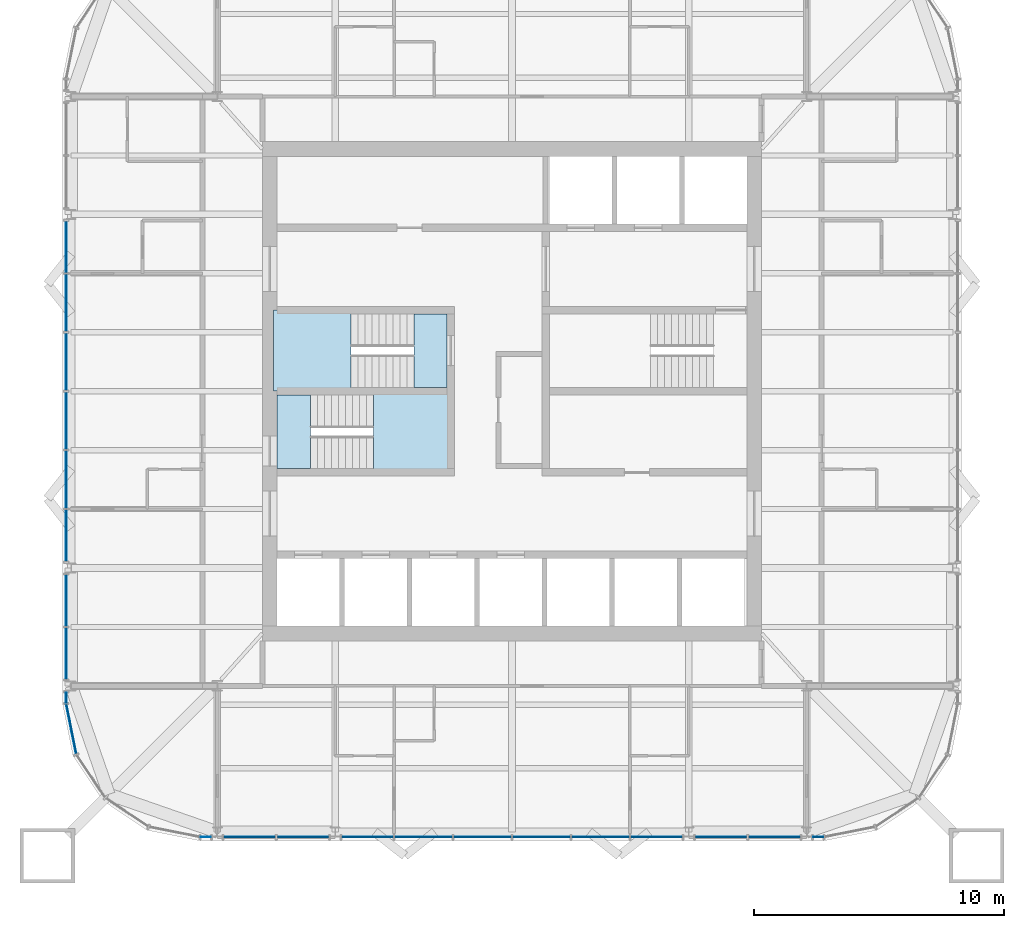
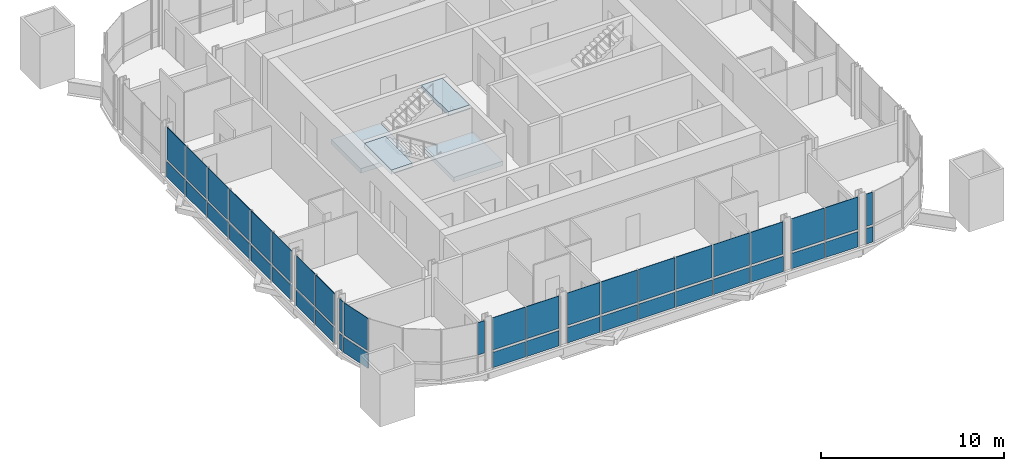
# One storey, part 8 of 17: 43 plates, 4 slabs, 11 elements without a shape of their own.
"""IFC4 building model written with IfcOpenShell, lengths in metres."""

from ifc_helpers import new_model, si_unit, direction, frame, origin, origin_2d, place, context, subcontext, project, spatial, polyline, rectangle, outline, extrude, material, layer, layer_set, type_object, element, aggregate, save


model = new_model("IFC4")

# Units and contexts
model_context = context("Model", 3, precision=1e-05, world=origin(), true_north=direction((0.0, 1.0)))
body_context = subcontext(model_context, "Body", "Model", "MODEL_VIEW")
ifc_project = project(units=[si_unit("LENGTHUNIT", "METRE"), si_unit("AREAUNIT", "SQUARE_METRE"), si_unit("VOLUMEUNIT", "CUBIC_METRE"), si_unit("PLANEANGLEUNIT", "RADIAN"), si_unit("MASSUNIT", "GRAM", prefix="KILO")], contexts=[model_context])

# Site, building, storey
site_placement = place(None, origin())
site = spatial("IfcSite", under=ifc_project, at=site_placement, CompositionType="ELEMENT")
building_placement = place(site_placement, origin())
building = spatial("IfcBuilding", under=site, at=building_placement, Name="Turquesa Mirador Hotel Tower", CompositionType="ELEMENT")
storey_placement = place(building_placement, frame((0.0, 0.0, 254.699951171875)))
storey = spatial("IfcBuildingStorey", under=building, at=storey_placement, Name="L69", CompositionType="ELEMENT", Elevation=254.699951171875)

# Curtain wall, plates
ifc_material_1 = material(Name="Aluminium extrusion", Category="aluminium")
curtain_wall_type = type_object("IfcCurtainWallType", Name="CW-4 SUITE FRITTED CURTAIN WALL", PredefinedType="USERDEFINED", material=ifc_material_1)
curtain_wall_1_placement = place(storey_placement, origin())
curtain_wall_1 = element("IfcCurtainWall", 1, at=curtain_wall_1_placement, inside=storey, type_object=curtain_wall_type, Name="CW-4 SUITE FRITTED CURTAIN WALL L69", ObjectType="CURTAIN WALL", PredefinedType="USERDEFINED")
ifc_material_2 = material(Name="Ceramic-printed spandrel glass on an insulated back pan", Category="glass")
ifc_layer_1 = layer(ifc_material_2, 0.050048828125)
ifc_layer_set_1 = layer_set([ifc_layer_1], Name="CW PANEL SPANDREL CERAMIC")
plate_type_1 = type_object("IfcPlateType", Name="CW PANEL SPANDREL CERAMIC", PredefinedType="CURTAIN_PANEL", material=ifc_layer_set_1)
plate_1_placement = place(storey_placement, frame((37.14990234375, 50.782958984375, 0.0), z_axis=(0.0, 0.0, 1.0), x_axis=(0.0, -1.0, 0.0)))
plate_1 = element("IfcPlate", 2, at=plate_1_placement, type_object=plate_type_1, Name="Panel", PredefinedType="CURTAIN_PANEL", context=body_context, shape_type="SweptSolid", body=[
    extrude(rectangle(XDim=2.06103515625, YDim=0.050048828125, at=origin_2d()), origin(), (0.0, 0.0, 1.0), 1.02490234375),
])
plate_2_placement = place(storey_placement, frame((37.14990234375, 48.5400390625, 0.0), z_axis=(0.0, 0.0, 1.0), x_axis=(0.0, -1.0, 0.0)))
plate_2 = element("IfcPlate", 3, at=plate_2_placement, type_object=plate_type_1, Name="Panel", PredefinedType="CURTAIN_PANEL", context=body_context, shape_type="SweptSolid", body=[
    extrude(rectangle(XDim=2.294921875, YDim=0.050048828125, at=origin_2d()), origin(), (0.0, 0.0, 1.0), 1.02490234375),
])
plate_3_placement = place(storey_placement, frame((37.14990234375, 46.179931640625, 0.0), z_axis=(0.0, 0.0, 1.0), x_axis=(0.0, -1.0, 0.0)))
plate_3 = element("IfcPlate", 4, at=plate_3_placement, type_object=plate_type_1, Name="Panel", PredefinedType="CURTAIN_PANEL", context=body_context, shape_type="SweptSolid", body=[
    extrude(rectangle(XDim=2.294921875, YDim=0.050048828125, at=origin_2d()), origin(), (0.0, 0.0, 1.0), 1.02490234375),
])
plate_4_placement = place(storey_placement, frame((37.14990234375, 43.820068359375, 0.0), z_axis=(0.0, 0.0, 1.0), x_axis=(0.0, -1.0, 0.0)))
plate_4 = element("IfcPlate", 5, at=plate_4_placement, type_object=plate_type_1, Name="Panel", PredefinedType="CURTAIN_PANEL", context=body_context, shape_type="SweptSolid", body=[
    extrude(rectangle(XDim=2.294921875, YDim=0.050048828125, at=origin_2d()), origin(), (0.0, 0.0, 1.0), 1.02490234375),
])
plate_5_placement = place(storey_placement, frame((37.14990234375, 41.4599609375, 0.0), z_axis=(0.0, 0.0, 1.0), x_axis=(0.0, -1.0, 0.0)))
plate_5 = element("IfcPlate", 6, at=plate_5_placement, type_object=plate_type_1, Name="Panel", PredefinedType="CURTAIN_PANEL", context=body_context, shape_type="SweptSolid", body=[
    extrude(rectangle(XDim=2.294921875, YDim=0.050048828125, at=origin_2d()), origin(), (0.0, 0.0, 1.0), 1.02490234375),
])
plate_6_placement = place(storey_placement, frame((37.14990234375, 39.217041015625, 0.0), z_axis=(0.0, 0.0, 1.0), x_axis=(0.0, -1.0, 0.0)))
plate_6 = element("IfcPlate", 7, at=plate_6_placement, type_object=plate_type_1, Name="Panel", PredefinedType="CURTAIN_PANEL", context=body_context, shape_type="SweptSolid", body=[
    extrude(rectangle(XDim=2.06103515625, YDim=0.050048828125, at=origin_2d()), origin(), (0.0, 0.0, 1.0), 1.02490234375),
])

curtain_wall_2_placement = place(storey_placement, origin())
curtain_wall_2 = element("IfcCurtainWall", 8, at=curtain_wall_2_placement, inside=storey, type_object=curtain_wall_type, Name="CW-4 SUITE FRITTED CURTAIN WALL L69", ObjectType="CURTAIN WALL", PredefinedType="USERDEFINED")
plate_7_placement = place(storey_placement, frame((37.14990234375, 36.623046875, 0.0), z_axis=(0.0, 0.0, 1.0), x_axis=(0.0, -1.0, 0.0)))
plate_7 = element("IfcPlate", 9, at=plate_7_placement, type_object=plate_type_1, Name="Panel", PredefinedType="CURTAIN_PANEL", context=body_context, shape_type="SweptSolid", body=[
    extrude(rectangle(XDim=2.06103515625, YDim=0.050048828125, at=origin_2d()), origin(), (0.0, 0.0, 1.0), 1.02490234375),
])
plate_8_placement = place(storey_placement, frame((37.14990234375, 34.496826171875, 0.0), z_axis=(0.0, 0.0, 1.0), x_axis=(0.0, -1.0, 0.0)))
plate_8 = element("IfcPlate", 10, at=plate_8_placement, type_object=plate_type_1, Name="Panel", PredefinedType="CURTAIN_PANEL", context=body_context, shape_type="SweptSolid", body=[
    extrude(rectangle(XDim=2.06103515625, YDim=0.050048828125, at=origin_2d()), origin(), (0.0, 0.0, 1.0), 1.02490234375),
])

# Curtain wall, plate
curtain_wall_3_placement = place(storey_placement, origin())
curtain_wall_3 = element("IfcCurtainWall", 11, at=curtain_wall_3_placement, inside=storey, type_object=curtain_wall_type, Name="CW-4 SUITE FRITTED CURTAIN WALL L69", ObjectType="CURTAIN WALL", PredefinedType="USERDEFINED")
plate_9_placement = place(storey_placement, frame((37.14990234375, 32.733154296875, 0.0), z_axis=(0.0, 0.0, 1.0), x_axis=(0.0, -1.0, 0.0)))
plate_9 = element("IfcPlate", 12, at=plate_9_placement, type_object=plate_type_1, Name="Panel", PredefinedType="CURTAIN_PANEL", context=body_context, shape_type="SweptSolid", body=[
    extrude(rectangle(XDim=0.401123046875, YDim=0.050048828125, at=origin_2d()), origin(), (0.0, 0.0, 1.0), 1.02490234375),
])

curtain_wall_4_placement = place(storey_placement, origin())
curtain_wall_4 = element("IfcCurtainWall", 13, at=curtain_wall_4_placement, inside=storey, type_object=curtain_wall_type, Name="CW-4 SUITE FRITTED CURTAIN WALL L69", ObjectType="CURTAIN WALL", PredefinedType="USERDEFINED")
plate_10_placement = place(storey_placement, frame((37.353515625, 31.476318359375, 0.0), z_axis=(0.0, 0.0, 1.0), x_axis=(0.195090585221, -0.980785228048, 0.0)))
plate_10 = element("IfcPlate", 14, at=plate_10_placement, type_object=plate_type_1, Name="Panel", PredefinedType="CURTAIN_PANEL", context=body_context, shape_type="SweptSolid", body=[
    extrude(rectangle(XDim=2.0224609375, YDim=0.050048828125, at=origin_2d()), origin(), (0.0, 0.0, 1.0), 1.02490234375),
])

# Curtain wall, plates
curtain_wall_5_placement = place(storey_placement, origin())
curtain_wall_5 = element("IfcCurtainWall", 15, at=curtain_wall_5_placement, inside=storey, type_object=curtain_wall_type, Name="CW-4 SUITE FRITTED CURTAIN WALL L69", ObjectType="CURTAIN WALL", PredefinedType="USERDEFINED")
plate_11_placement = place(storey_placement, frame((44.496826171875, 27.14990234375, 0.0), z_axis=(0.0, 0.0, 1.0), x_axis=(1.0, 0.0, 0.0)))
plate_11 = element("IfcPlate", 16, at=plate_11_placement, type_object=plate_type_1, Name="Panel", PredefinedType="CURTAIN_PANEL", context=body_context, shape_type="SweptSolid", body=[
    extrude(rectangle(XDim=2.06103515625, YDim=0.050048828125, at=origin_2d()), origin(), (0.0, 0.0, 1.0), 1.02490234375),
])
plate_12_placement = place(storey_placement, frame((46.623046875, 27.14990234375, 0.0), z_axis=(0.0, 0.0, 1.0), x_axis=(1.0, 0.0, 0.0)))
plate_12 = element("IfcPlate", 17, at=plate_12_placement, type_object=plate_type_1, Name="Panel", PredefinedType="CURTAIN_PANEL", context=body_context, shape_type="SweptSolid", body=[
    extrude(rectangle(XDim=2.06103515625, YDim=0.050048828125, at=origin_2d()), origin(), (0.0, 0.0, 1.0), 1.02490234375),
])

curtain_wall_6_placement = place(storey_placement, origin())
curtain_wall_6 = element("IfcCurtainWall", 18, at=curtain_wall_6_placement, inside=storey, type_object=curtain_wall_type, Name="CW-4 SUITE FRITTED CURTAIN WALL L69", ObjectType="CURTAIN WALL", PredefinedType="USERDEFINED")
plate_13_placement = place(storey_placement, frame((49.217041015625, 27.14990234375, 0.0), z_axis=(0.0, 0.0, 1.0), x_axis=(1.0, 0.0, 0.0)))
plate_13 = element("IfcPlate", 19, at=plate_13_placement, type_object=plate_type_1, Name="Panel", PredefinedType="CURTAIN_PANEL", context=body_context, shape_type="SweptSolid", body=[
    extrude(rectangle(XDim=2.06103515625, YDim=0.050048828125, at=origin_2d()), origin(), (0.0, 0.0, 1.0), 1.02490234375),
])
plate_14_placement = place(storey_placement, frame((51.4599609375, 27.14990234375, 0.0), z_axis=(0.0, 0.0, 1.0), x_axis=(1.0, 0.0, 0.0)))
plate_14 = element("IfcPlate", 20, at=plate_14_placement, type_object=plate_type_1, Name="Panel", PredefinedType="CURTAIN_PANEL", context=body_context, shape_type="SweptSolid", body=[
    extrude(rectangle(XDim=2.294921875, YDim=0.050048828125, at=origin_2d()), origin(), (0.0, 0.0, 1.0), 1.02490234375),
])
plate_15_placement = place(storey_placement, frame((53.820068359375, 27.14990234375, 0.0), z_axis=(0.0, 0.0, 1.0), x_axis=(1.0, 0.0, 0.0)))
plate_15 = element("IfcPlate", 21, at=plate_15_placement, type_object=plate_type_1, Name="Panel", PredefinedType="CURTAIN_PANEL", context=body_context, shape_type="SweptSolid", body=[
    extrude(rectangle(XDim=2.294921875, YDim=0.050048828125, at=origin_2d()), origin(), (0.0, 0.0, 1.0), 1.02490234375),
])
plate_16_placement = place(storey_placement, frame((56.179931640625, 27.14990234375, 0.0), z_axis=(0.0, 0.0, 1.0), x_axis=(1.0, 0.0, 0.0)))
plate_16 = element("IfcPlate", 22, at=plate_16_placement, type_object=plate_type_1, Name="Panel", PredefinedType="CURTAIN_PANEL", context=body_context, shape_type="SweptSolid", body=[
    extrude(rectangle(XDim=2.294921875, YDim=0.050048828125, at=origin_2d()), origin(), (0.0, 0.0, 1.0), 1.02490234375),
])
plate_17_placement = place(storey_placement, frame((58.5400390625, 27.14990234375, 0.0), z_axis=(0.0, 0.0, 1.0), x_axis=(1.0, 0.0, 0.0)))
plate_17 = element("IfcPlate", 23, at=plate_17_placement, type_object=plate_type_1, Name="Panel", PredefinedType="CURTAIN_PANEL", context=body_context, shape_type="SweptSolid", body=[
    extrude(rectangle(XDim=2.294921875, YDim=0.050048828125, at=origin_2d()), origin(), (0.0, 0.0, 1.0), 1.02490234375),
])
plate_18_placement = place(storey_placement, frame((60.782958984375, 27.14990234375, 0.0), z_axis=(0.0, 0.0, 1.0), x_axis=(1.0, 0.0, 0.0)))
plate_18 = element("IfcPlate", 24, at=plate_18_placement, type_object=plate_type_1, Name="Panel", PredefinedType="CURTAIN_PANEL", context=body_context, shape_type="SweptSolid", body=[
    extrude(rectangle(XDim=2.06103515625, YDim=0.050048828125, at=origin_2d()), origin(), (0.0, 0.0, 1.0), 1.02490234375),
])

curtain_wall_7_placement = place(storey_placement, origin())
curtain_wall_7 = element("IfcCurtainWall", 25, at=curtain_wall_7_placement, inside=storey, type_object=curtain_wall_type, Name="CW-4 SUITE FRITTED CURTAIN WALL L69", ObjectType="CURTAIN WALL", PredefinedType="USERDEFINED")
plate_19_placement = place(storey_placement, frame((63.376953125, 27.14990234375, 0.0), z_axis=(0.0, 0.0, 1.0), x_axis=(1.0, 0.0, 0.0)))
plate_19 = element("IfcPlate", 26, at=plate_19_placement, type_object=plate_type_1, Name="Panel", PredefinedType="CURTAIN_PANEL", context=body_context, shape_type="SweptSolid", body=[
    extrude(rectangle(XDim=2.06103515625, YDim=0.050048828125, at=origin_2d()), origin(), (0.0, 0.0, 1.0), 1.02490234375),
])
plate_20_placement = place(storey_placement, frame((65.503173828125, 27.14990234375, 0.0), z_axis=(0.0, 0.0, 1.0), x_axis=(1.0, 0.0, 0.0)))
plate_20 = element("IfcPlate", 27, at=plate_20_placement, type_object=plate_type_1, Name="Panel", PredefinedType="CURTAIN_PANEL", context=body_context, shape_type="SweptSolid", body=[
    extrude(rectangle(XDim=2.06103515625, YDim=0.050048828125, at=origin_2d()), origin(), (0.0, 0.0, 1.0), 1.02490234375),
])

# Curtain wall, plate
curtain_wall_8_placement = place(storey_placement, origin())
curtain_wall_8 = element("IfcCurtainWall", 28, at=curtain_wall_8_placement, inside=storey, type_object=curtain_wall_type, Name="CW-4 SUITE FRITTED CURTAIN WALL L69", ObjectType="CURTAIN WALL", PredefinedType="USERDEFINED")
plate_21_placement = place(storey_placement, frame((67.266845703125, 27.14990234375, 0.0), z_axis=(0.0, 0.0, 1.0), x_axis=(1.0, 0.0, 0.0)))
plate_21 = element("IfcPlate", 29, at=plate_21_placement, type_object=plate_type_1, Name="Panel", PredefinedType="CURTAIN_PANEL", context=body_context, shape_type="SweptSolid", body=[
    extrude(rectangle(XDim=0.401123046875, YDim=0.050048828125, at=origin_2d()), origin(), (0.0, 0.0, 1.0), 1.02490234375),
])

# Plate
ifc_material_3 = material(Name="Ceramic-fritted laminated glass", Category="glass")
ifc_layer_2 = layer(ifc_material_3, 0.031982421875)
ifc_layer_set_2 = layer_set([ifc_layer_2], Name="CW PANEL VISION FRITTED")
plate_type_2 = type_object("IfcPlateType", Name="CW PANEL VISION FRITTED", PredefinedType="CURTAIN_PANEL", material=ifc_layer_set_2)
plate_22_placement = place(storey_placement, frame((37.14990234375, 50.782958984375, 1.1748046875), z_axis=(0.0, 0.0, 1.0), x_axis=(0.0, -1.0, 0.0)))
plate_22 = element("IfcPlate", 30, at=plate_22_placement, type_object=plate_type_2, Name="Panel", PredefinedType="CURTAIN_PANEL", context=body_context, shape_type="SweptSolid", body=[
    extrude(rectangle(XDim=2.06103515625, YDim=0.031982421875, at=origin_2d()), origin(), (0.0, 0.0, 1.0), 2.155029296875),
])

plate_23_placement = place(storey_placement, frame((37.14990234375, 48.5400390625, 1.1748046875), z_axis=(0.0, 0.0, 1.0), x_axis=(0.0, -1.0, 0.0)))
plate_23 = element("IfcPlate", 31, at=plate_23_placement, type_object=plate_type_2, Name="Panel", PredefinedType="CURTAIN_PANEL", context=body_context, shape_type="SweptSolid", body=[
    extrude(rectangle(XDim=2.294921875, YDim=0.031982421875, at=origin_2d()), origin(), (0.0, 0.0, 1.0), 2.155029296875),
])

plate_24_placement = place(storey_placement, frame((37.14990234375, 46.179931640625, 1.1748046875), z_axis=(0.0, 0.0, 1.0), x_axis=(0.0, -1.0, 0.0)))
plate_24 = element("IfcPlate", 32, at=plate_24_placement, type_object=plate_type_2, Name="Panel", PredefinedType="CURTAIN_PANEL", context=body_context, shape_type="SweptSolid", body=[
    extrude(rectangle(XDim=2.294921875, YDim=0.031982421875, at=origin_2d()), origin(), (0.0, 0.0, 1.0), 2.155029296875),
])

plate_25_placement = place(storey_placement, frame((37.14990234375, 43.820068359375, 1.1748046875), z_axis=(0.0, 0.0, 1.0), x_axis=(0.0, -1.0, 0.0)))
plate_25 = element("IfcPlate", 33, at=plate_25_placement, type_object=plate_type_2, Name="Panel", PredefinedType="CURTAIN_PANEL", context=body_context, shape_type="SweptSolid", body=[
    extrude(rectangle(XDim=2.294921875, YDim=0.031982421875, at=origin_2d()), origin(), (0.0, 0.0, 1.0), 2.155029296875),
])

plate_26_placement = place(storey_placement, frame((37.14990234375, 41.4599609375, 1.1748046875), z_axis=(0.0, 0.0, 1.0), x_axis=(0.0, -1.0, 0.0)))
plate_26 = element("IfcPlate", 34, at=plate_26_placement, type_object=plate_type_2, Name="Panel", PredefinedType="CURTAIN_PANEL", context=body_context, shape_type="SweptSolid", body=[
    extrude(rectangle(XDim=2.294921875, YDim=0.031982421875, at=origin_2d()), origin(), (0.0, 0.0, 1.0), 2.155029296875),
])

plate_27_placement = place(storey_placement, frame((37.14990234375, 39.217041015625, 1.1748046875), z_axis=(0.0, 0.0, 1.0), x_axis=(0.0, -1.0, 0.0)))
plate_27 = element("IfcPlate", 35, at=plate_27_placement, type_object=plate_type_2, Name="Panel", PredefinedType="CURTAIN_PANEL", context=body_context, shape_type="SweptSolid", body=[
    extrude(rectangle(XDim=2.06103515625, YDim=0.031982421875, at=origin_2d()), origin(), (0.0, 0.0, 1.0), 2.155029296875),
])

aggregate(curtain_wall_1, [plate_1, plate_22, plate_2, plate_23, plate_3, plate_24, plate_4, plate_25, plate_5, plate_26, plate_6, plate_27])

plate_28_placement = place(storey_placement, frame((37.14990234375, 36.623046875, 1.1748046875), z_axis=(0.0, 0.0, 1.0), x_axis=(0.0, -1.0, 0.0)))
plate_28 = element("IfcPlate", 36, at=plate_28_placement, type_object=plate_type_2, Name="Panel", PredefinedType="CURTAIN_PANEL", context=body_context, shape_type="SweptSolid", body=[
    extrude(rectangle(XDim=2.06103515625, YDim=0.031982421875, at=origin_2d()), origin(), (0.0, 0.0, 1.0), 2.155029296875),
])

plate_29_placement = place(storey_placement, frame((37.14990234375, 34.496826171875, 1.1748046875), z_axis=(0.0, 0.0, 1.0), x_axis=(0.0, -1.0, 0.0)))
plate_29 = element("IfcPlate", 37, at=plate_29_placement, type_object=plate_type_2, Name="Panel", PredefinedType="CURTAIN_PANEL", context=body_context, shape_type="SweptSolid", body=[
    extrude(rectangle(XDim=2.06103515625, YDim=0.031982421875, at=origin_2d()), origin(), (0.0, 0.0, 1.0), 2.155029296875),
])

aggregate(curtain_wall_2, [plate_7, plate_28, plate_8, plate_29])

plate_30_placement = place(storey_placement, frame((37.14990234375, 32.733154296875, 1.1748046875), z_axis=(0.0, 0.0, 1.0), x_axis=(0.0, -1.0, 0.0)))
plate_30 = element("IfcPlate", 38, at=plate_30_placement, type_object=plate_type_2, Name="Panel", PredefinedType="CURTAIN_PANEL", context=body_context, shape_type="SweptSolid", body=[
    extrude(rectangle(XDim=0.401123046875, YDim=0.031982421875, at=origin_2d()), origin(), (0.0, 0.0, 1.0), 2.155029296875),
])

aggregate(curtain_wall_3, [plate_9, plate_30])

plate_31_placement = place(storey_placement, frame((37.353515625, 31.476318359375, 1.1748046875), z_axis=(0.0, 0.0, 1.0), x_axis=(0.195090585221, -0.980785228048, 0.0)))
plate_31 = element("IfcPlate", 39, at=plate_31_placement, type_object=plate_type_2, Name="Panel", PredefinedType="CURTAIN_PANEL", context=body_context, shape_type="SweptSolid", body=[
    extrude(rectangle(XDim=2.0224609375, YDim=0.031982421875, at=origin_2d()), origin(), (0.0, 0.0, 1.0), 2.155029296875),
])

aggregate(curtain_wall_4, [plate_10, plate_31])

# Curtain wall, plate
curtain_wall_9_placement = place(storey_placement, origin())
curtain_wall_9 = element("IfcCurtainWall", 40, at=curtain_wall_9_placement, inside=storey, type_object=curtain_wall_type, Name="CW-4 SUITE FRITTED CURTAIN WALL L69", ObjectType="CURTAIN WALL", PredefinedType="USERDEFINED")
plate_32_placement = place(storey_placement, frame((42.733154296875, 27.14990234375, 1.1748046875), z_axis=(0.0, 0.0, 1.0), x_axis=(1.0, 0.0, 0.0)))
plate_32 = element("IfcPlate", 41, at=plate_32_placement, type_object=plate_type_2, Name="Panel", PredefinedType="CURTAIN_PANEL", context=body_context, shape_type="SweptSolid", body=[
    extrude(rectangle(XDim=0.401123046875, YDim=0.031982421875, at=origin_2d()), origin(), (0.0, 0.0, 1.0), 2.155029296875),
])
aggregate(curtain_wall_9, [plate_32])

# Plate
plate_33_placement = place(storey_placement, frame((44.496826171875, 27.14990234375, 1.1748046875), z_axis=(0.0, 0.0, 1.0), x_axis=(1.0, 0.0, 0.0)))
plate_33 = element("IfcPlate", 42, at=plate_33_placement, type_object=plate_type_2, Name="Panel", PredefinedType="CURTAIN_PANEL", context=body_context, shape_type="SweptSolid", body=[
    extrude(rectangle(XDim=2.06103515625, YDim=0.031982421875, at=origin_2d()), origin(), (0.0, 0.0, 1.0), 2.155029296875),
])

plate_34_placement = place(storey_placement, frame((46.623046875, 27.14990234375, 1.1748046875), z_axis=(0.0, 0.0, 1.0), x_axis=(1.0, 0.0, 0.0)))
plate_34 = element("IfcPlate", 43, at=plate_34_placement, type_object=plate_type_2, Name="Panel", PredefinedType="CURTAIN_PANEL", context=body_context, shape_type="SweptSolid", body=[
    extrude(rectangle(XDim=2.06103515625, YDim=0.031982421875, at=origin_2d()), origin(), (0.0, 0.0, 1.0), 2.155029296875),
])

aggregate(curtain_wall_5, [plate_11, plate_33, plate_12, plate_34])

plate_35_placement = place(storey_placement, frame((49.217041015625, 27.14990234375, 1.1748046875), z_axis=(0.0, 0.0, 1.0), x_axis=(1.0, 0.0, 0.0)))
plate_35 = element("IfcPlate", 44, at=plate_35_placement, type_object=plate_type_2, Name="Panel", PredefinedType="CURTAIN_PANEL", context=body_context, shape_type="SweptSolid", body=[
    extrude(rectangle(XDim=2.06103515625, YDim=0.031982421875, at=origin_2d()), origin(), (0.0, 0.0, 1.0), 2.155029296875),
])

plate_36_placement = place(storey_placement, frame((51.4599609375, 27.14990234375, 1.1748046875), z_axis=(0.0, 0.0, 1.0), x_axis=(1.0, 0.0, 0.0)))
plate_36 = element("IfcPlate", 45, at=plate_36_placement, type_object=plate_type_2, Name="Panel", PredefinedType="CURTAIN_PANEL", context=body_context, shape_type="SweptSolid", body=[
    extrude(rectangle(XDim=2.294921875, YDim=0.031982421875, at=origin_2d()), origin(), (0.0, 0.0, 1.0), 2.155029296875),
])

plate_37_placement = place(storey_placement, frame((53.820068359375, 27.14990234375, 1.1748046875), z_axis=(0.0, 0.0, 1.0), x_axis=(1.0, 0.0, 0.0)))
plate_37 = element("IfcPlate", 46, at=plate_37_placement, type_object=plate_type_2, Name="Panel", PredefinedType="CURTAIN_PANEL", context=body_context, shape_type="SweptSolid", body=[
    extrude(rectangle(XDim=2.294921875, YDim=0.031982421875, at=origin_2d()), origin(), (0.0, 0.0, 1.0), 2.155029296875),
])

plate_38_placement = place(storey_placement, frame((56.179931640625, 27.14990234375, 1.1748046875), z_axis=(0.0, 0.0, 1.0), x_axis=(1.0, 0.0, 0.0)))
plate_38 = element("IfcPlate", 47, at=plate_38_placement, type_object=plate_type_2, Name="Panel", PredefinedType="CURTAIN_PANEL", context=body_context, shape_type="SweptSolid", body=[
    extrude(rectangle(XDim=2.294921875, YDim=0.031982421875, at=origin_2d()), origin(), (0.0, 0.0, 1.0), 2.155029296875),
])

plate_39_placement = place(storey_placement, frame((58.5400390625, 27.14990234375, 1.1748046875), z_axis=(0.0, 0.0, 1.0), x_axis=(1.0, 0.0, 0.0)))
plate_39 = element("IfcPlate", 48, at=plate_39_placement, type_object=plate_type_2, Name="Panel", PredefinedType="CURTAIN_PANEL", context=body_context, shape_type="SweptSolid", body=[
    extrude(rectangle(XDim=2.294921875, YDim=0.031982421875, at=origin_2d()), origin(), (0.0, 0.0, 1.0), 2.155029296875),
])

plate_40_placement = place(storey_placement, frame((60.782958984375, 27.14990234375, 1.1748046875), z_axis=(0.0, 0.0, 1.0), x_axis=(1.0, 0.0, 0.0)))
plate_40 = element("IfcPlate", 49, at=plate_40_placement, type_object=plate_type_2, Name="Panel", PredefinedType="CURTAIN_PANEL", context=body_context, shape_type="SweptSolid", body=[
    extrude(rectangle(XDim=2.06103515625, YDim=0.031982421875, at=origin_2d()), origin(), (0.0, 0.0, 1.0), 2.155029296875),
])

aggregate(curtain_wall_6, [plate_13, plate_35, plate_14, plate_36, plate_15, plate_37, plate_16, plate_38, plate_17, plate_39, plate_18, plate_40])

plate_41_placement = place(storey_placement, frame((63.376953125, 27.14990234375, 1.1748046875), z_axis=(0.0, 0.0, 1.0), x_axis=(1.0, 0.0, 0.0)))
plate_41 = element("IfcPlate", 50, at=plate_41_placement, type_object=plate_type_2, Name="Panel", PredefinedType="CURTAIN_PANEL", context=body_context, shape_type="SweptSolid", body=[
    extrude(rectangle(XDim=2.06103515625, YDim=0.031982421875, at=origin_2d()), origin(), (0.0, 0.0, 1.0), 2.155029296875),
])

plate_42_placement = place(storey_placement, frame((65.503173828125, 27.14990234375, 1.1748046875), z_axis=(0.0, 0.0, 1.0), x_axis=(1.0, 0.0, 0.0)))
plate_42 = element("IfcPlate", 51, at=plate_42_placement, type_object=plate_type_2, Name="Panel", PredefinedType="CURTAIN_PANEL", context=body_context, shape_type="SweptSolid", body=[
    extrude(rectangle(XDim=2.06103515625, YDim=0.031982421875, at=origin_2d()), origin(), (0.0, 0.0, 1.0), 2.155029296875),
])

aggregate(curtain_wall_7, [plate_19, plate_41, plate_20, plate_42])

plate_43_placement = place(storey_placement, frame((67.266845703125, 27.14990234375, 1.1748046875), z_axis=(0.0, 0.0, 1.0), x_axis=(1.0, 0.0, 0.0)))
plate_43 = element("IfcPlate", 52, at=plate_43_placement, type_object=plate_type_2, Name="Panel", PredefinedType="CURTAIN_PANEL", context=body_context, shape_type="SweptSolid", body=[
    extrude(rectangle(XDim=0.401123046875, YDim=0.031982421875, at=origin_2d()), origin(), (0.0, 0.0, 1.0), 2.155029296875),
])

aggregate(curtain_wall_8, [plate_21, plate_43])

# Stair, slabs
ifc_material_4 = material(Name="Concrete C35/45", Category="concrete")
stair_type = type_object("IfcStairType", Name="ESCAPE STAIR CORE", PredefinedType="HALF_TURN_STAIR", material=ifc_material_4)
stair_1_placement = place(storey_placement, origin())
stair_1 = element("IfcStair", 53, at=stair_1_placement, inside=storey, type_object=stair_type, Name="Stair ST1 L69 to L70", PredefinedType="HALF_TURN_STAIR")
ifc_material_5 = material(Name="Concrete C35/45", Category="concrete")
ifc_layer_3 = layer(ifc_material_5, 0.300048828125)
ifc_layer_set_3 = layer_set([ifc_layer_3], Name="STAIR LANDING 300")
slab_type = type_object("IfcSlabType", Name="STAIR LANDING 300", PredefinedType="LANDING", material=ifc_layer_set_3)
slab_1_placement = place(storey_placement, frame((0.0, 0.0, 1.449951171875)))
slab_1 = element("IfcSlab", 54, at=slab_1_placement, type_object=slab_type, Name="ST1 landing 1", PredefinedType="LANDING", context=body_context, shape_type="SweptSolid", body=[
    extrude(outline(polyline([(45.449951171875, 45.0), (48.550048828125, 45.0), (48.550048828125, 48.25), (45.449951171875, 48.25), (45.449951171875, 45.0)])), origin(), (0.0, 0.0, 1.0), 0.300048828125),
])
slab_2_placement = place(storey_placement, frame((0.0, 0.0, 3.199951171875)))
slab_2 = element("IfcSlab", 55, at=slab_2_placement, type_object=slab_type, Name="ST1 landing 2", PredefinedType="LANDING", context=body_context, shape_type="SweptSolid", body=[
    extrude(outline(polyline([(51.070068359375, 45.14990234375), (52.39990234375, 45.14990234375), (52.39990234375, 48.10009765625), (51.070068359375, 48.10009765625), (51.070068359375, 45.14990234375)])), origin(), (0.0, 0.0, 1.0), 0.300048828125),
])
aggregate(stair_1, [slab_1, slab_2])

stair_2_placement = place(storey_placement, origin())
stair_2 = element("IfcStair", 56, at=stair_2_placement, inside=storey, type_object=stair_type, Name="Stair ST2 L69 to L70", PredefinedType="HALF_TURN_STAIR")
slab_3_placement = place(storey_placement, frame((0.0, 0.0, 1.449951171875)))
slab_3 = element("IfcSlab", 57, at=slab_3_placement, type_object=slab_type, Name="ST2 landing 1", PredefinedType="LANDING", context=body_context, shape_type="SweptSolid", body=[
    extrude(outline(polyline([(52.550048828125, 45.0), (49.449951171875, 45.0), (49.449951171875, 41.75), (52.550048828125, 41.75), (52.550048828125, 45.0)])), origin(), (0.0, 0.0, 1.0), 0.300048828125),
])
slab_4_placement = place(storey_placement, frame((0.0, 0.0, 3.199951171875)))
slab_4 = element("IfcSlab", 58, at=slab_4_placement, type_object=slab_type, Name="ST2 landing 2", PredefinedType="LANDING", context=body_context, shape_type="SweptSolid", body=[
    extrude(outline(polyline([(46.929931640625, 44.85009765625), (45.60009765625, 44.85009765625), (45.60009765625, 41.89990234375), (46.929931640625, 41.89990234375), (46.929931640625, 44.85009765625)])), origin(), (0.0, 0.0, 1.0), 0.300048828125),
])
aggregate(stair_2, [slab_3, slab_4])

save(model, "model.ifc")
